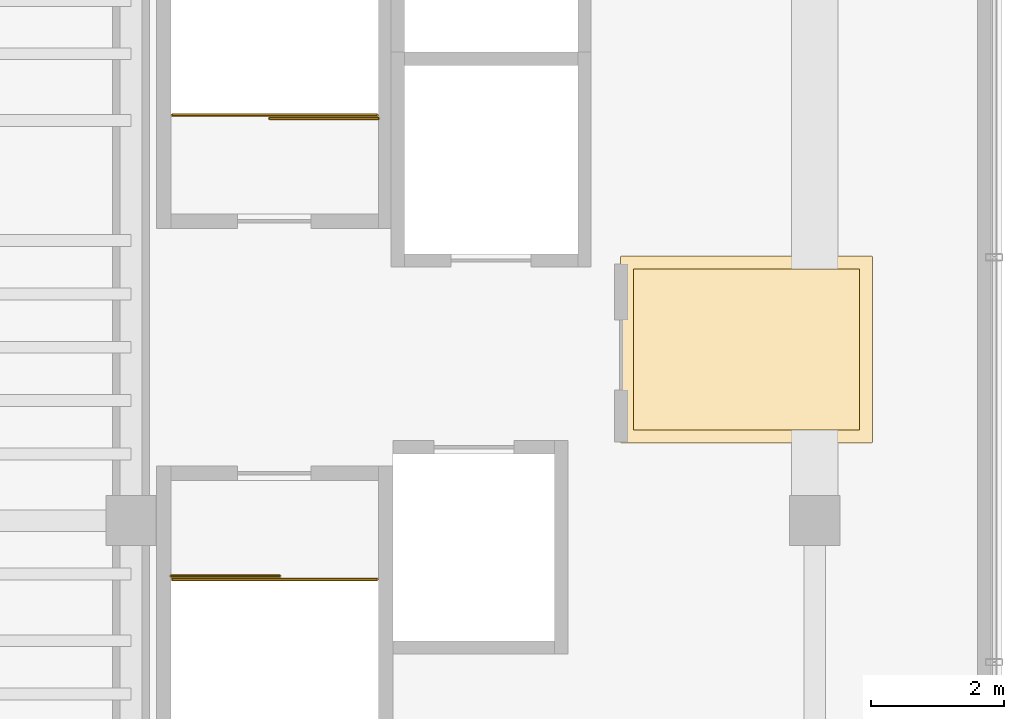
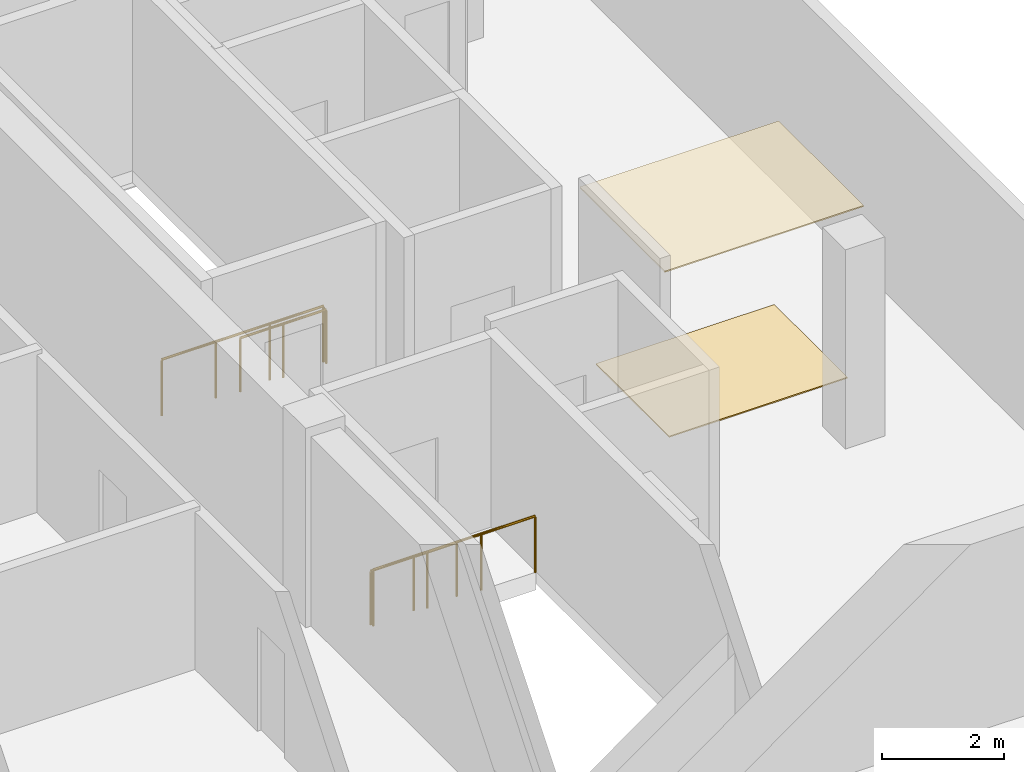
# One storey, part 11 of 11: 4 railings, 2 coverings.
"""IFC4 building model written with IfcOpenShell, lengths in metres."""

from ifc_helpers import new_model, si_unit, direction, frame, origin, origin_2d, place, context, subcontext, project, spatial, polyline, circle, outline, extrude, material, layer, layer_set, type_object, element, save


model = new_model("IFC4")

# Units and contexts
model_context = context("Model", 3, precision=1e-05, world=origin(), true_north=direction((0.0, 1.0)))
body_context = subcontext(model_context, "Body", "Model", "MODEL_VIEW")
ifc_project = project(units=[si_unit("LENGTHUNIT", "METRE"), si_unit("AREAUNIT", "SQUARE_METRE"), si_unit("VOLUMEUNIT", "CUBIC_METRE"), si_unit("PLANEANGLEUNIT", "RADIAN"), si_unit("MASSUNIT", "GRAM", prefix="KILO")], contexts=[model_context])

# Site, building, storey
site_placement = place(None, origin())
site = spatial("IfcSite", under=ifc_project, at=site_placement, CompositionType="ELEMENT")
building_placement = place(site_placement, origin())
building = spatial("IfcBuilding", under=site, at=building_placement, Name="Valdorenza Pilgrim Sanctuary Tower", CompositionType="ELEMENT")
storey_placement = place(building_placement, frame((0.0, 0.0, 303.60009765625)))
storey = spatial("IfcBuildingStorey", under=building, at=storey_placement, Name="L79", CompositionType="ELEMENT", Elevation=303.60009765625)

# Coverings
ifc_material_1 = material(Name="Micro-perforated acoustic mineral ceiling tile", Category="gypsum")
ifc_layer_1 = layer(ifc_material_1, 0.02490234375, Name="Micro-perforated acoustic mineral ceiling tile")
ifc_layer_set_1 = layer_set([ifc_layer_1], Name="Micro-perforated acoustic mineral ceiling tile")
covering_type_1 = type_object("IfcCoveringType", Name="COV-CLG-ACU", PredefinedType="CEILING", material=ifc_layer_set_1)
covering_1_placement = place(storey_placement, frame((0.0, 0.0, 3.5)))
element("IfcCovering", 1, at=covering_1_placement, inside=storey, type_object=covering_type_1, Name="L79 Core A Passenger Lift Lobby Acoustic Ceiling", PredefinedType="CEILING", context=body_context, shape_type="SweptSolid", body=[
    extrude(outline(polyline([(-15.31494140625, 1.35009765625), (-15.31494140625, 1.3515625), (-15.314697265625, 1.352783203125), (-15.314453125, 1.3544921875), (-15.31396484375, 1.355712890625), (-15.313232421875, 1.357177734375), (-15.3125, 1.3583984375), (-15.3115234375, 1.359619140625), (-15.310546875, 1.360595703125), (-15.3095703125, 1.361572265625), (-15.308349609375, 1.362548828125), (-15.30712890625, 1.36328125), (-15.3056640625, 1.364013671875), (-15.304443359375, 1.364501953125), (-15.302978515625, 1.36474609375), (-15.301513671875, 1.364990234375), (-15.300048828125, 1.364990234375), (-11.550048828125, 1.364990234375), (-11.548583984375, 1.364990234375), (-11.547119140625, 1.36474609375), (-11.545654296875, 1.364501953125), (-11.544189453125, 1.364013671875), (-11.54296875, 1.36328125), (-11.541748046875, 1.362548828125), (-11.54052734375, 1.361572265625), (-11.539306640625, 1.360595703125), (-11.538330078125, 1.359619140625), (-11.53759765625, 1.3583984375), (-11.536865234375, 1.357177734375), (-11.5361328125, 1.355712890625), (-11.53564453125, 1.3544921875), (-11.535400390625, 1.352783203125), (-11.53515625, 1.3515625), (-11.534912109375, 1.35009765625), (-11.534912109375, -1.419921875), (-11.53515625, -1.42138671875), (-11.535400390625, -1.4228515625), (-11.53564453125, -1.42431640625), (-11.5361328125, -1.42578125), (-11.536865234375, -1.427001953125), (-11.53759765625, -1.42822265625), (-11.538330078125, -1.429443359375), (-11.539306640625, -1.4306640625), (-11.54052734375, -1.431640625), (-11.541748046875, -1.4326171875), (-11.54296875, -1.43310546875), (-11.544189453125, -1.433837890625), (-11.545654296875, -1.434326171875), (-11.547119140625, -1.434814453125), (-11.548583984375, -1.434814453125), (-11.550048828125, -1.43505859375), (-15.298095703125, -1.43505859375), (-15.299560546875, -1.434814453125), (-15.30078125, -1.434814453125), (-15.302490234375, -1.434326171875), (-15.3037109375, -1.433837890625), (-15.30517578125, -1.43310546875), (-15.306396484375, -1.4326171875), (-15.3076171875, -1.431640625), (-15.30859375, -1.4306640625), (-15.3095703125, -1.429443359375), (-15.310546875, -1.42822265625), (-15.311279296875, -1.427001953125), (-15.31201171875, -1.42578125), (-15.3125, -1.42431640625), (-15.312744140625, -1.4228515625), (-15.31298828125, -1.42138671875), (-15.31298828125, -1.419921875), (-15.31298828125, 1.244384765625), (-15.31298828125, 1.24462890625), (-15.313720703125, 1.24609375), (-15.314208984375, 1.24755859375), (-15.314697265625, 1.2490234375), (-15.31494140625, 1.25048828125), (-15.31494140625, 1.251953125), (-15.31494140625, 1.35009765625)])), origin(), (0.0, 0.0, 1.0), 0.02490234375),
])
ifc_material_2 = material(Name="Honed travertine stone flooring", Category="masonry")
ifc_layer_2 = layer(ifc_material_2, 0.030029296875, Name="Honed travertine stone flooring")
ifc_layer_set_2 = layer_set([ifc_layer_2], Name="Honed travertine stone flooring")
covering_type_2 = type_object("IfcCoveringType", Name="COV-FLR-TRV", PredefinedType="FLOORING", material=ifc_layer_set_2)
covering_2_placement = place(storey_placement, origin())
element("IfcCovering", 2, at=covering_2_placement, inside=storey, type_object=covering_type_2, Name="L79 Core A Passenger Lift Lobby Flooring", PredefinedType="FLOORING", context=body_context, shape_type="SweptSolid", body=[
    extrude(outline(polyline([(-15.117919921875, 1.169921875), (-11.72998046875, 1.169921875), (-11.72998046875, -1.239990234375), (-15.117919921875, -1.239990234375), (-15.117919921875, 1.169921875)])), origin(), (0.0, 0.0, 1.0), 0.02490234375),
])

# Railings
ifc_material_3 = material(Name="Stainless steel Grade 316", Category="steel")
railing_type = type_object("IfcRailingType", Name="RLG-GRD-1120", PredefinedType="GUARDRAIL", material=ifc_material_3)
for number, where, name in (
    (3, (-22.030029296875, 3.47998046875, 0.0), "L79 Stair Top-Well Safety Guardrail STA1"),
    (4, (-22.030029296875, -3.47998046875, 0.0), "L79 Stair Top-Well Safety Guardrail STA2"),
):
    element("IfcRailing", number, at=place(storey_placement, frame(where)), inside=storey, type_object=railing_type, Name=name, PredefinedType="GUARDRAIL", context=body_context, shape_type="SweptSolid", body=[
        extrude(circle(Radius=0.02392578125, at=origin_2d()), frame((0.0, 0.0, 1.1259765625), z_axis=(1.0, 0.0, 0.0), x_axis=(0.0, 1.0, 0.0)), (0.0, 0.0, 1.0), 3.070068359375),
        extrude(circle(Radius=0.02099609375, at=origin_2d()), origin(), (0.0, 0.0, 1.0), 1.101806640625),
        extrude(circle(Radius=0.02099609375, at=origin_2d()), frame((1.0234375, 0.0, 0.0)), (0.0, 0.0, 1.0), 1.101806640625),
        extrude(circle(Radius=0.02099609375, at=origin_2d()), frame((2.046630859375, 0.0, 0.0)), (0.0, 0.0, 1.0), 1.101806640625),
        extrude(circle(Radius=0.02099609375, at=origin_2d()), frame((3.070068359375, 0.0, 0.0)), (0.0, 0.0, 1.0), 1.101806640625),
    ])
railing_1_placement = place(storey_placement, frame((-18.93994140625, 3.429931640625, 0.0)))
element("IfcRailing", 5, at=railing_1_placement, inside=storey, type_object=railing_type, Name="L79 ST-A1 top well guard 1", PredefinedType="GUARDRAIL", context=body_context, shape_type="SweptSolid", body=[
    extrude(circle(Radius=0.02392578125, at=origin_2d()), frame((0.0, 0.0, 1.076171875), z_axis=(-1.0, 0.0, 0.0), x_axis=(0.0, -1.0, 0.0)), (0.0, 0.0, 1.0), 1.630126953125),
    extrude(circle(Radius=0.02099609375, at=origin_2d()), origin(), (0.0, 0.0, 1.0), 1.052001953125),
    extrude(circle(Radius=0.02099609375, at=origin_2d()), frame((-0.81494140625, 0.0, 0.0)), (0.0, 0.0, 1.0), 1.052001953125),
    extrude(circle(Radius=0.02099609375, at=origin_2d()), frame((-1.630126953125, 0.0, 0.0)), (0.0, 0.0, 1.0), 1.052001953125),
])
railing_2_placement = place(storey_placement, frame((-22.050048828125, -3.429931640625, 0.0)))
element("IfcRailing", 6, at=railing_2_placement, inside=storey, type_object=railing_type, Name="L79 ST-A2 top well guard 1", PredefinedType="GUARDRAIL", context=body_context, shape_type="SweptSolid", body=[
    extrude(circle(Radius=0.02392578125, at=origin_2d()), frame((0.0, 0.0, 1.076171875), z_axis=(1.0, 0.0, 0.0), x_axis=(0.0, 1.0, 0.0)), (0.0, 0.0, 1.0), 1.630126953125),
    extrude(circle(Radius=0.02099609375, at=origin_2d()), origin(), (0.0, 0.0, 1.0), 1.052001953125),
    extrude(circle(Radius=0.02099609375, at=origin_2d()), frame((0.81494140625, 0.0, 0.0)), (0.0, 0.0, 1.0), 1.052001953125),
    extrude(circle(Radius=0.02099609375, at=origin_2d()), frame((1.630126953125, 0.0, 0.0)), (0.0, 0.0, 1.0), 1.052001953125),
])

save(model, "model.ifc")
